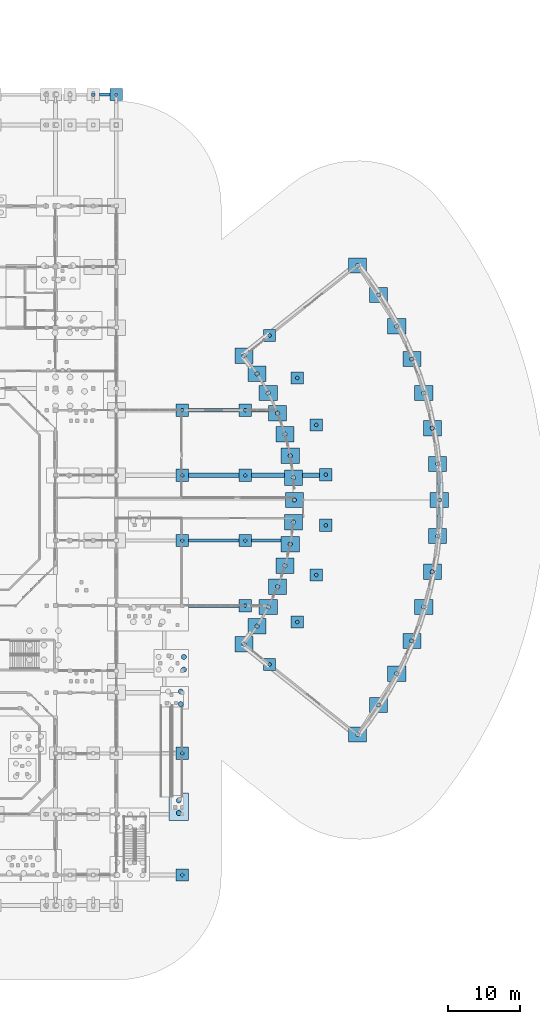
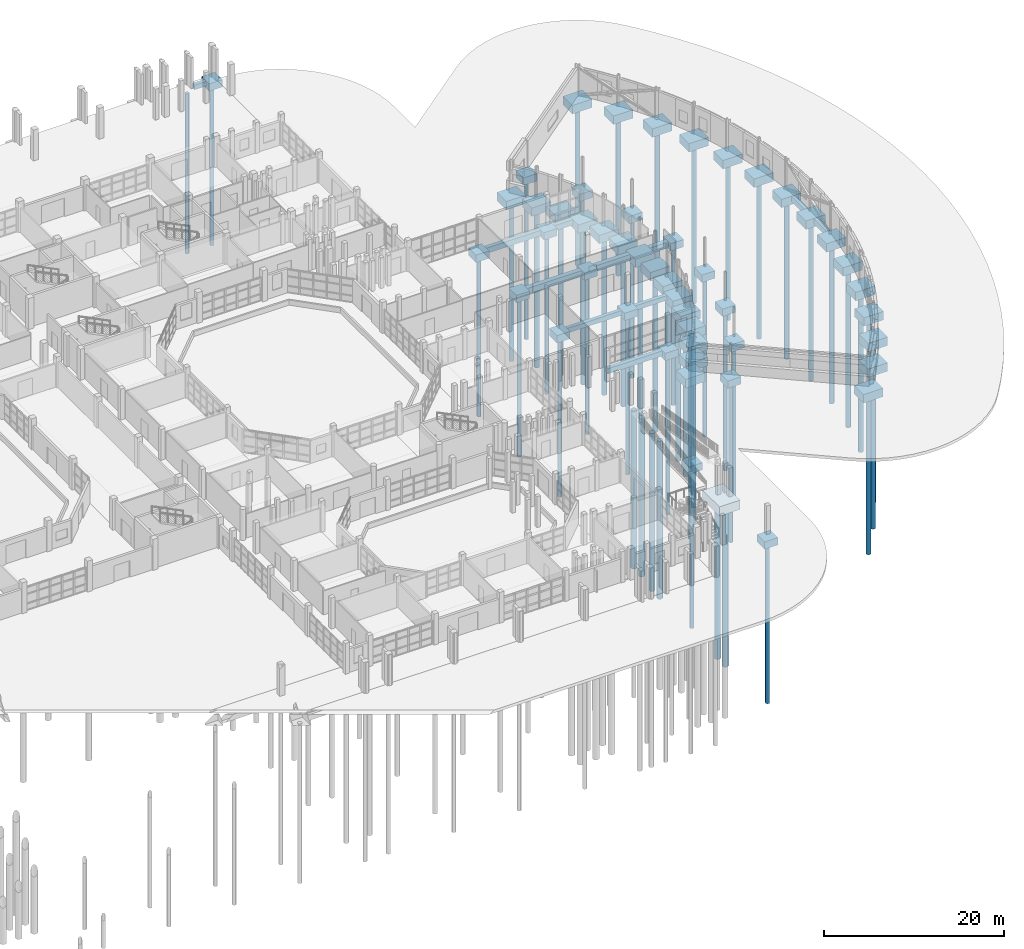
# One storey, part 8 of 88: 60 footings, 55 piles.
"""IFC4 building model written with IfcOpenShell, lengths in metres."""

from ifc_helpers import new_model, si_unit, direction, frame, origin, origin_2d, place, context, subcontext, project, spatial, rectangle, circle, extrude, material, material_profile, profile_set, type_object, element, save


model = new_model("IFC4")

# Units and contexts
model_context = context("Model", 3, precision=1e-05, world=origin(), true_north=direction((0.0, 1.0)))
body_context = subcontext(model_context, "Body", "Model", "MODEL_VIEW")
ifc_project = project(units=[si_unit("LENGTHUNIT", "METRE"), si_unit("AREAUNIT", "SQUARE_METRE"), si_unit("VOLUMEUNIT", "CUBIC_METRE"), si_unit("PLANEANGLEUNIT", "RADIAN"), si_unit("MASSUNIT", "GRAM", prefix="KILO")], contexts=[model_context])

# Site, building, storey
site_placement = place(None, origin())
site = spatial("IfcSite", under=ifc_project, at=site_placement, CompositionType="ELEMENT")
building_placement = place(site_placement, origin())
building = spatial("IfcBuilding", under=site, at=building_placement, Name="Vanh Quang Courtyard School", CompositionType="ELEMENT")
storey_placement = place(building_placement, origin())
storey = spatial("IfcBuildingStorey", under=building, at=storey_placement, Name="L00", CompositionType="ELEMENT", Elevation=0.0)

# Footings
ifc_material_1 = material(Name="Concrete C35/45", Category="concrete")
footing_type_1 = type_object("IfcFootingType", Name="FTG-GB-450x650", PredefinedType="FOOTING_BEAM", material=ifc_material_1)
footing_1_placement = place(storey_placement, frame((132.85009765625, 50.39990234375, -1.050048828125), z_axis=(0.0, 0.0, 1.0), x_axis=(1.0, 0.0, 0.0)))
element("IfcFooting", 1, at=footing_1_placement, inside=storey, type_object=footing_type_1, Name="Footing GB-04 (L00)", PredefinedType="FOOTING_BEAM", context=body_context, shape_type="SweptSolid", body=[
    extrude(rectangle(XDim=7.0, YDim=0.449951171875, at=origin_2d()), origin(), (0.0, 0.0, 1.0), 0.64990234375),
])
footing_2_placement = place(storey_placement, frame((140.10595703125, 50.39990234375, -1.050048828125), z_axis=(0.0, 0.0, 1.0), x_axis=(1.0, 0.0, 0.0)))
element("IfcFooting", 2, at=footing_2_placement, inside=storey, type_object=footing_type_1, Name="Footing GB-04 (L00)", PredefinedType="FOOTING_BEAM", context=body_context, shape_type="SweptSolid", body=[
    extrude(rectangle(XDim=4.112060546875, YDim=0.449951171875, at=origin_2d()), origin(), (0.0, 0.0, 1.0), 0.64990234375),
])
footing_3_placement = place(storey_placement, frame((117.800048828125, 112.0, -1.050048828125), z_axis=(0.0, 0.0, 1.0), x_axis=(1.0, 0.0, 0.0)))
element("IfcFooting", 3, at=footing_3_placement, inside=storey, type_object=footing_type_1, Name="Footing GB-04 (L00)", PredefinedType="FOOTING_BEAM", context=body_context, shape_type="SweptSolid", body=[
    extrude(rectangle(XDim=1.5, YDim=0.449951171875, at=origin_2d()), origin(), (0.0, 0.0, 1.0), 0.64990234375),
])
footing_type_2 = type_object("IfcFootingType", Name="FTG-GB-500x700", PredefinedType="FOOTING_BEAM", material=ifc_material_1)
footing_4_placement = place(storey_placement, frame((132.85009765625, 41.39990234375, -1.10009765625), z_axis=(0.0, 0.0, 1.0), x_axis=(1.0, 0.0, 0.0)))
element("IfcFooting", 4, at=footing_4_placement, inside=storey, type_object=footing_type_2, Name="Footing GB-03 (L00)", PredefinedType="FOOTING_BEAM", context=body_context, shape_type="SweptSolid", body=[
    extrude(rectangle(XDim=7.0, YDim=0.5, at=origin_2d()), origin(), (0.0, 0.0, 1.0), 0.699951171875),
])
footing_type_3 = type_object("IfcFootingType", Name="FTG-GB-500x750", PredefinedType="FOOTING_BEAM", material=ifc_material_1)
footing_5_placement = place(storey_placement, frame((132.85009765625, 68.39990234375, -1.14990234375), z_axis=(0.0, 0.0, 1.0), x_axis=(1.0, 0.0, 0.0)))
element("IfcFooting", 5, at=footing_5_placement, inside=storey, type_object=footing_type_3, Name="Footing GB-02 (L00)", PredefinedType="FOOTING_BEAM", context=body_context, shape_type="SweptSolid", body=[
    extrude(rectangle(XDim=7.0, YDim=0.5, at=origin_2d()), origin(), (0.0, 0.0, 1.0), 0.75),
])
footing_6_placement = place(storey_placement, frame((139.235107421875, 68.39990234375, -1.14990234375), z_axis=(0.0, 0.0, 1.0), x_axis=(1.0, 0.0, 0.0)))
element("IfcFooting", 6, at=footing_6_placement, inside=storey, type_object=footing_type_3, Name="Footing GB-02 (L00)", PredefinedType="FOOTING_BEAM", context=body_context, shape_type="SweptSolid", body=[
    extrude(rectangle(XDim=2.3701171875, YDim=0.5, at=origin_2d()), origin(), (0.0, 0.0, 1.0), 0.75),
])
for number, where, z_axis, x_axis, name in (
    (7, (164.0, 53.508056640625, -1.14990234375), (0.0, 0.0, 1.0), (0.0, 1.0, 0.0), "Footing GB-02 (L00)"),
    (8, (164.0, 58.491943359375, -1.14990234375), (0.0, 0.0, 1.0), (0.0, 1.0, 0.0), "Footing GB-02 (L00)"),
):
    element("IfcFooting", number, at=place(storey_placement, frame(where, z_axis=z_axis, x_axis=x_axis)), inside=storey, type_object=footing_type_3, Name=name, PredefinedType="FOOTING_BEAM", context=body_context, shape_type="SweptSolid", body=[
        extrude(rectangle(XDim=2.884033203125, YDim=0.5, at=origin_2d()), origin(), (0.0, 0.0, 1.0), 0.75),
    ])
footing_type_4 = type_object("IfcFootingType", Name="FTG-GB-600x800", PredefinedType="FOOTING_BEAM", material=ifc_material_1)
footing_7_placement = place(storey_placement, frame((132.85009765625, 59.39990234375, -1.2001953125), z_axis=(0.0, 0.0, 1.0), x_axis=(1.0, 0.0, 0.0)))
element("IfcFooting", 9, at=footing_7_placement, inside=storey, type_object=footing_type_4, Name="Footing GB-01 (L00)", PredefinedType="FOOTING_BEAM", context=body_context, shape_type="SweptSolid", body=[
    extrude(rectangle(XDim=7.0, YDim=0.60009765625, at=origin_2d()), origin(), (0.0, 0.0, 1.0), 0.800048828125),
])
footing_8_placement = place(storey_placement, frame((140.326416015625, 59.39990234375, -1.2001953125), z_axis=(0.0, 0.0, 1.0), x_axis=(1.0, 0.0, 0.0)))
element("IfcFooting", 10, at=footing_8_placement, inside=storey, type_object=footing_type_4, Name="Footing GB-01 (L00)", PredefinedType="FOOTING_BEAM", context=body_context, shape_type="SweptSolid", body=[
    extrude(rectangle(XDim=4.552978515625, YDim=0.60009765625, at=origin_2d()), origin(), (0.0, 0.0, 1.0), 0.800048828125),
])
footing_9_placement = place(storey_placement, frame((146.29248046875, 59.39990234375, -1.2001953125), z_axis=(0.0, 0.0, 1.0), x_axis=(1.0, 0.0, 0.0)))
element("IfcFooting", 11, at=footing_9_placement, inside=storey, type_object=footing_type_4, Name="Footing GB-01 (L00)", PredefinedType="FOOTING_BEAM", context=body_context, shape_type="SweptSolid", body=[
    extrude(rectangle(XDim=2.37890625, YDim=0.60009765625, at=origin_2d()), origin(), (0.0, 0.0, 1.0), 0.800048828125),
])
footing_type_5 = type_object("IfcFootingType", Name="FTG-PC-01", PredefinedType="PILE_CAP", material=ifc_material_1)
for number, where, z_axis, x_axis, name in (
    (12, (128.5, 4.199951171875, -1.39990234375), (0.0, 0.0, 1.0), (1.0, 0.0, 0.0), "Footing PC-01 (L00)"),
    (13, (128.5, 21.0, -1.39990234375), (0.0, 0.0, 1.0), (1.0, 0.0, 0.0), "Footing PC-01 (L00)"),
    (14, (140.56494140625, 33.278076171875, -1.39990234375), (0.0, 0.0, 1.0), (1.0, 0.0, 0.0), "Footing PC-01 (L00)"),
    (15, (144.3759765625, 39.14599609375, -1.39990234375), (0.0, 0.0, 1.0), (1.0, 0.0, 0.0), "Footing PC-01 (L00)"),
    (16, (137.199951171875, 41.39990234375, -1.39990234375), (0.0, 0.0, 1.0), (1.0, 0.0, 0.0), "Footing PC-01 (L00)"),
    (17, (146.9970703125, 45.633056640625, -1.39990234375), (0.0, 0.0, 1.0), (1.0, 0.0, 0.0), "Footing PC-01 (L00)"),
    (18, (128.5, 50.39990234375, -1.39990234375), (0.0, 0.0, 1.0), (1.0, 0.0, 0.0), "Footing PC-01 (L00)"),
    (19, (137.199951171875, 50.39990234375, -1.39990234375), (0.0, 0.0, 1.0), (1.0, 0.0, 0.0), "Footing PC-01 (L00)"),
    (20, (148.33203125, 52.501953125, -1.39990234375), (0.0, 0.0, 1.0), (1.0, 0.0, 0.0), "Footing PC-01 (L00)"),
    (21, (128.5, 59.39990234375, -1.39990234375), (0.0, 0.0, 1.0), (1.0, 0.0, 0.0), "Footing PC-01 (L00)"),
    (22, (137.199951171875, 59.39990234375, -1.39990234375), (0.0, 0.0, 1.0), (1.0, 0.0, 0.0), "Footing PC-01 (L00)"),
    (23, (148.33203125, 59.498046875, -1.39990234375), (0.0, 0.0, 1.0), (1.0, 0.0, 0.0), "Footing PC-01 (L00)"),
    (24, (146.9970703125, 66.366943359375, -1.39990234375), (0.0, 0.0, 1.0), (1.0, 0.0, 0.0), "Footing PC-01 (L00)"),
    (25, (128.5, 68.39990234375, -1.39990234375), (0.0, 0.0, 1.0), (1.0, 0.0, 0.0), "Footing PC-01 (L00)"),
    (26, (137.199951171875, 68.39990234375, -1.39990234375), (0.0, 0.0, 1.0), (1.0, 0.0, 0.0), "Footing PC-01 (L00)"),
    (27, (144.3759765625, 72.85400390625, -1.39990234375), (0.0, 0.0, 1.0), (1.0, 0.0, 0.0), "Footing PC-01 (L00)"),
    (28, (140.56494140625, 78.721923828125, -1.39990234375), (0.0, 0.0, 1.0), (1.0, 0.0, 0.0), "Footing PC-01 (L00)"),
    (29, (119.39990234375, 112.0, -1.39990234375), (0.0, 0.0, 1.0), (1.0, 0.0, 0.0), "Footing PC-01 (L00)"),
):
    element("IfcFooting", number, at=place(storey_placement, frame(where, z_axis=z_axis, x_axis=x_axis)), inside=storey, type_object=footing_type_5, Name=name, PredefinedType="PILE_CAP", context=body_context, shape_type="SweptSolid", body=[
        extrude(rectangle(XDim=1.699951171875, YDim=1.699951171875, at=origin_2d()), origin(), (0.0, 0.0, 1.0), 1.0),
    ])
footing_type_6 = type_object("IfcFootingType", Name="FTG-PC-03", PredefinedType="PILE_CAP", material=ifc_material_1)
for number, where, z_axis, x_axis, name in (
    (30, (152.696044921875, 23.62890625, -1.550048828125), (0.0, 0.0, 1.0), (1.0, 0.0, 0.0), "Footing PC-03 (L00)"),
    (31, (155.611083984375, 27.678955078125, -1.550048828125), (0.0, 0.0, 1.0), (1.0, 0.0, 0.0), "Footing PC-03 (L00)"),
    (32, (158.125, 31.989013671875, -1.550048828125), (0.0, 0.0, 1.0), (1.0, 0.0, 0.0), "Footing PC-03 (L00)"),
    (33, (137.04296875, 36.080078125, -1.550048828125), (0.0, 0.0, 1.0), (1.0, 0.0, 0.0), "Footing PC-03 (L00)"),
):
    element("IfcFooting", number, at=place(storey_placement, frame(where, z_axis=z_axis, x_axis=x_axis)), inside=storey, type_object=footing_type_6, Name=name, PredefinedType="PILE_CAP", context=body_context, shape_type="SweptSolid", body=[
        extrude(rectangle(XDim=2.5, YDim=2.10009765625, at=origin_2d()), origin(), (0.0, 0.0, 1.0), 1.14990234375),
    ])
footing_10_placement = place(storey_placement, frame((160.214111328125, 36.5205078125, -1.550048828125), z_axis=(0.0, 0.0, 1.0), x_axis=(1.0, 0.0, 0.0)))
element("IfcFooting", 34, at=footing_10_placement, inside=storey, type_object=footing_type_6, Name="Footing PC-03 (L00)", PredefinedType="PILE_CAP", context=body_context, shape_type="SweptSolid", body=[
    extrude(rectangle(XDim=2.5, YDim=2.09912109375, at=origin_2d()), origin(), (0.0, 0.0, 1.0), 1.14990234375),
])
for number, where, z_axis, x_axis, name in (
    (35, (138.837890625, 38.572021484375, -1.550048828125), (0.0, 0.0, 1.0), (1.0, 0.0, 0.0), "Footing PC-03 (L00)"),
    (36, (140.384033203125, 41.22412109375, -1.550048828125), (0.0, 0.0, 1.0), (1.0, 0.0, 0.0), "Footing PC-03 (L00)"),
    (37, (161.85888671875, 41.23095703125, -1.550048828125), (0.0, 0.0, 1.0), (1.0, 0.0, 0.0), "Footing PC-03 (L00)"),
    (38, (141.669921875, 44.012939453125, -1.550048828125), (0.0, 0.0, 1.0), (1.0, 0.0, 0.0), "Footing PC-03 (L00)"),
    (39, (163.044921875, 46.077880859375, -1.550048828125), (0.0, 0.0, 1.0), (1.0, 0.0, 0.0), "Footing PC-03 (L00)"),
    (40, (142.681884765625, 46.910888671875, -1.550048828125), (0.0, 0.0, 1.0), (1.0, 0.0, 0.0), "Footing PC-03 (L00)"),
    (41, (143.412109375, 49.89404296875, -1.550048828125), (0.0, 0.0, 1.0), (1.0, 0.0, 0.0), "Footing PC-03 (L00)"),
    (42, (163.760986328125, 51.01611328125, -1.550048828125), (0.0, 0.0, 1.0), (1.0, 0.0, 0.0), "Footing PC-03 (L00)"),
    (43, (143.85302734375, 52.93310546875, -1.550048828125), (0.0, 0.0, 1.0), (1.0, 0.0, 0.0), "Footing PC-03 (L00)"),
    (44, (144.0, 56.0, -1.550048828125), (0.0, 0.0, 1.0), (1.0, 0.0, 0.0), "Footing PC-03 (L00)"),
    (45, (164.0, 56.0, -1.550048828125), (0.0, 0.0, 1.0), (1.0, 0.0, 0.0), "Footing PC-03 (L00)"),
    (46, (143.85302734375, 59.06689453125, -1.550048828125), (0.0, 0.0, 1.0), (1.0, 0.0, 0.0), "Footing PC-03 (L00)"),
    (47, (163.760986328125, 60.98388671875, -1.550048828125), (0.0, 0.0, 1.0), (1.0, 0.0, 0.0), "Footing PC-03 (L00)"),
    (48, (143.412109375, 62.10595703125, -1.550048828125), (0.0, 0.0, 1.0), (1.0, 0.0, 0.0), "Footing PC-03 (L00)"),
    (49, (142.681884765625, 65.087890625, -1.550048828125), (0.0, 0.0, 1.0), (1.0, 0.0, 0.0), "Footing PC-03 (L00)"),
    (50, (163.044921875, 65.922119140625, -1.550048828125), (0.0, 0.0, 1.0), (1.0, 0.0, 0.0), "Footing PC-03 (L00)"),
    (51, (141.669921875, 67.987060546875, -1.550048828125), (0.0, 0.0, 1.0), (1.0, 0.0, 0.0), "Footing PC-03 (L00)"),
    (52, (161.85888671875, 70.76904296875, -1.550048828125), (0.0, 0.0, 1.0), (1.0, 0.0, 0.0), "Footing PC-03 (L00)"),
    (53, (140.384033203125, 70.77587890625, -1.550048828125), (0.0, 0.0, 1.0), (1.0, 0.0, 0.0), "Footing PC-03 (L00)"),
    (54, (138.837890625, 73.427978515625, -1.550048828125), (0.0, 0.0, 1.0), (1.0, 0.0, 0.0), "Footing PC-03 (L00)"),
):
    element("IfcFooting", number, at=place(storey_placement, frame(where, z_axis=z_axis, x_axis=x_axis)), inside=storey, type_object=footing_type_6, Name=name, PredefinedType="PILE_CAP", context=body_context, shape_type="SweptSolid", body=[
        extrude(rectangle(XDim=2.5, YDim=2.10009765625, at=origin_2d()), origin(), (0.0, 0.0, 1.0), 1.14990234375),
    ])
footing_11_placement = place(storey_placement, frame((160.214111328125, 75.4794921875, -1.550048828125), z_axis=(0.0, 0.0, 1.0), x_axis=(1.0, 0.0, 0.0)))
element("IfcFooting", 55, at=footing_11_placement, inside=storey, type_object=footing_type_6, Name="Footing PC-03 (L00)", PredefinedType="PILE_CAP", context=body_context, shape_type="SweptSolid", body=[
    extrude(rectangle(XDim=2.5, YDim=2.09912109375, at=origin_2d()), origin(), (0.0, 0.0, 1.0), 1.14990234375),
])
for number, where, z_axis, x_axis, name in (
    (56, (137.04296875, 75.9208984375, -1.550048828125), (0.0, 0.0, 1.0), (1.0, 0.0, 0.0), "Footing PC-03 (L00)"),
    (57, (158.125, 80.010986328125, -1.550048828125), (0.0, 0.0, 1.0), (1.0, 0.0, 0.0), "Footing PC-03 (L00)"),
    (58, (155.611083984375, 84.321044921875, -1.550048828125), (0.0, 0.0, 1.0), (1.0, 0.0, 0.0), "Footing PC-03 (L00)"),
    (59, (152.696044921875, 88.37109375, -1.550048828125), (0.0, 0.0, 1.0), (1.0, 0.0, 0.0), "Footing PC-03 (L00)"),
):
    element("IfcFooting", number, at=place(storey_placement, frame(where, z_axis=z_axis, x_axis=x_axis)), inside=storey, type_object=footing_type_6, Name=name, PredefinedType="PILE_CAP", context=body_context, shape_type="SweptSolid", body=[
        extrude(rectangle(XDim=2.5, YDim=2.10009765625, at=origin_2d()), origin(), (0.0, 0.0, 1.0), 1.14990234375),
    ])
footing_type_7 = type_object("IfcFootingType", Name="FTG-PC-08", PredefinedType="PILE_CAP", material=ifc_material_1)
footing_12_placement = place(storey_placement, frame((128.02490234375, 13.625, -1.64990234375), z_axis=(0.0, 0.0, 1.0), x_axis=(1.0, 0.0, 0.0)))
element("IfcFooting", 60, at=footing_12_placement, inside=storey, type_object=footing_type_7, Name="Footing PC-08 (L00)", PredefinedType="PILE_CAP", context=body_context, shape_type="SweptSolid", body=[
    extrude(rectangle(XDim=2.64990234375, YDim=3.75, at=origin_2d()), origin(), (0.0, 0.0, 1.0), 1.25),
])

# Piles
ifc_material_2 = material(Name="Concrete C30/37", Category="concrete")
ifc_material_profile_1 = material_profile(ifc_material_2, circle(Radius=0.25, at=origin_2d()), Name="PILE D500")
ifc_profile_set_1 = profile_set([ifc_material_profile_1], Name="Concrete C30/37")
pile_type_1 = type_object("IfcPileType", Name="PILE-BORED-500", PredefinedType="BORED", material=ifc_profile_set_1)
for number, where, z_axis, x_axis, name in (
    (61, (128.5, 4.199951171875, -1.300048828125), (0.0, 0.0, -1.0), (1.0, 0.0, 0.0), "Bored Pile BP-01 (L00)"),
    (62, (128.5, 21.0, -1.300048828125), (0.0, 0.0, -1.0), (1.0, 0.0, 0.0), "Bored Pile BP-01 (L00)"),
    (63, (140.56494140625, 33.278076171875, -1.300048828125), (0.0, 0.0, -1.0), (1.0, 0.0, 0.0), "Bored Pile BP-01 (L00)"),
    (64, (144.3759765625, 39.14599609375, -1.300048828125), (0.0, 0.0, -1.0), (1.0, 0.0, 0.0), "Bored Pile BP-01 (L00)"),
    (65, (137.199951171875, 41.39990234375, -1.300048828125), (0.0, 0.0, -1.0), (1.0, 0.0, 0.0), "Bored Pile BP-01 (L00)"),
    (66, (146.9970703125, 45.633056640625, -1.300048828125), (0.0, 0.0, -1.0), (1.0, 0.0, 0.0), "Bored Pile BP-01 (L00)"),
    (67, (128.5, 50.39990234375, -1.300048828125), (0.0, 0.0, -1.0), (1.0, 0.0, 0.0), "Bored Pile BP-01 (L00)"),
    (68, (137.199951171875, 50.39990234375, -1.300048828125), (0.0, 0.0, -1.0), (1.0, 0.0, 0.0), "Bored Pile BP-01 (L00)"),
    (69, (148.33203125, 52.501953125, -1.300048828125), (0.0, 0.0, -1.0), (1.0, 0.0, 0.0), "Bored Pile BP-01 (L00)"),
    (70, (128.5, 59.39990234375, -1.300048828125), (0.0, 0.0, -1.0), (1.0, 0.0, 0.0), "Bored Pile BP-01 (L00)"),
    (71, (137.199951171875, 59.39990234375, -1.300048828125), (0.0, 0.0, -1.0), (1.0, 0.0, 0.0), "Bored Pile BP-01 (L00)"),
    (72, (148.33203125, 59.498046875, -1.300048828125), (0.0, 0.0, -1.0), (1.0, 0.0, 0.0), "Bored Pile BP-01 (L00)"),
    (73, (146.9970703125, 66.366943359375, -1.300048828125), (0.0, 0.0, -1.0), (1.0, 0.0, 0.0), "Bored Pile BP-01 (L00)"),
    (74, (128.5, 68.39990234375, -1.300048828125), (0.0, 0.0, -1.0), (1.0, 0.0, 0.0), "Bored Pile BP-01 (L00)"),
    (75, (137.199951171875, 68.39990234375, -1.300048828125), (0.0, 0.0, -1.0), (1.0, 0.0, 0.0), "Bored Pile BP-01 (L00)"),
    (76, (144.3759765625, 72.85400390625, -1.300048828125), (0.0, 0.0, -1.0), (1.0, 0.0, 0.0), "Bored Pile BP-01 (L00)"),
    (77, (140.56494140625, 78.721923828125, -1.300048828125), (0.0, 0.0, -1.0), (1.0, 0.0, 0.0), "Bored Pile BP-01 (L00)"),
    (78, (116.199951171875, 112.0, -1.300048828125), (0.0, 0.0, -1.0), (1.0, 0.0, 0.0), "Bored Pile BP-01 (L00)"),
    (79, (119.39990234375, 112.0, -1.300048828125), (0.0, 0.0, -1.0), (1.0, 0.0, 0.0), "Bored Pile BP-01 (L00)"),
):
    element("IfcPile", number, at=place(storey_placement, frame(where, z_axis=z_axis, x_axis=x_axis)), inside=storey, type_object=pile_type_1, Name=name, PredefinedType="BORED", context=body_context, shape_type="SweptSolid", body=[
        extrude(circle(Radius=0.25, at=origin_2d()), origin(), (0.0, 0.0, 1.0), 21.699951171875),
    ])
ifc_material_profile_2 = material_profile(ifc_material_2, circle(Radius=0.300048828125, at=origin_2d()), Name="PILE D600")
ifc_profile_set_2 = profile_set([ifc_material_profile_2], Name="Concrete C30/37")
pile_type_2 = type_object("IfcPileType", Name="PILE-BORED-600", PredefinedType="BORED", material=ifc_profile_set_2)
for number, where, z_axis, x_axis, name in (
    (80, (152.696044921875, 23.62890625, -1.449951171875), (0.0, 0.0, -1.0), (1.0, 0.0, 0.0), "Bored Pile BP-02 (L00)"),
    (81, (155.611083984375, 27.678955078125, -1.449951171875), (0.0, 0.0, -1.0), (1.0, 0.0, 0.0), "Bored Pile BP-02 (L00)"),
    (82, (158.125, 31.989013671875, -1.449951171875), (0.0, 0.0, -1.0), (1.0, 0.0, 0.0), "Bored Pile BP-02 (L00)"),
    (83, (137.04296875, 36.080078125, -1.449951171875), (0.0, 0.0, -1.0), (1.0, 0.0, 0.0), "Bored Pile BP-02 (L00)"),
    (84, (160.214111328125, 36.5205078125, -1.449951171875), (0.0, 0.0, -1.0), (1.0, 0.0, 0.0), "Bored Pile BP-02 (L00)"),
    (85, (138.837890625, 38.572021484375, -1.449951171875), (0.0, 0.0, -1.0), (1.0, 0.0, 0.0), "Bored Pile BP-02 (L00)"),
    (86, (140.384033203125, 41.22412109375, -1.449951171875), (0.0, 0.0, -1.0), (1.0, 0.0, 0.0), "Bored Pile BP-02 (L00)"),
    (87, (161.85888671875, 41.23095703125, -1.449951171875), (0.0, 0.0, -1.0), (1.0, 0.0, 0.0), "Bored Pile BP-02 (L00)"),
    (88, (141.669921875, 44.012939453125, -1.449951171875), (0.0, 0.0, -1.0), (1.0, 0.0, 0.0), "Bored Pile BP-02 (L00)"),
    (89, (163.044921875, 46.077880859375, -1.449951171875), (0.0, 0.0, -1.0), (1.0, 0.0, 0.0), "Bored Pile BP-02 (L00)"),
    (90, (142.681884765625, 46.910888671875, -1.449951171875), (0.0, 0.0, -1.0), (1.0, 0.0, 0.0), "Bored Pile BP-02 (L00)"),
    (91, (143.412109375, 49.89404296875, -1.449951171875), (0.0, 0.0, -1.0), (1.0, 0.0, 0.0), "Bored Pile BP-02 (L00)"),
    (92, (163.760986328125, 51.01611328125, -1.449951171875), (0.0, 0.0, -1.0), (1.0, 0.0, 0.0), "Bored Pile BP-02 (L00)"),
    (93, (143.85302734375, 52.93310546875, -1.449951171875), (0.0, 0.0, -1.0), (1.0, 0.0, 0.0), "Bored Pile BP-02 (L00)"),
    (94, (144.0, 56.0, -1.449951171875), (0.0, 0.0, -1.0), (1.0, 0.0, 0.0), "Bored Pile BP-02 (L00)"),
    (95, (164.0, 56.0, -1.449951171875), (0.0, 0.0, -1.0), (1.0, 0.0, 0.0), "Bored Pile BP-02 (L00)"),
    (96, (143.85302734375, 59.06689453125, -1.449951171875), (0.0, 0.0, -1.0), (1.0, 0.0, 0.0), "Bored Pile BP-02 (L00)"),
    (97, (163.760986328125, 60.98388671875, -1.449951171875), (0.0, 0.0, -1.0), (1.0, 0.0, 0.0), "Bored Pile BP-02 (L00)"),
    (98, (143.412109375, 62.10595703125, -1.449951171875), (0.0, 0.0, -1.0), (1.0, 0.0, 0.0), "Bored Pile BP-02 (L00)"),
    (99, (142.681884765625, 65.087890625, -1.449951171875), (0.0, 0.0, -1.0), (1.0, 0.0, 0.0), "Bored Pile BP-02 (L00)"),
    (100, (163.044921875, 65.922119140625, -1.449951171875), (0.0, 0.0, -1.0), (1.0, 0.0, 0.0), "Bored Pile BP-02 (L00)"),
    (101, (141.669921875, 67.987060546875, -1.449951171875), (0.0, 0.0, -1.0), (1.0, 0.0, 0.0), "Bored Pile BP-02 (L00)"),
    (102, (161.85888671875, 70.76904296875, -1.449951171875), (0.0, 0.0, -1.0), (1.0, 0.0, 0.0), "Bored Pile BP-02 (L00)"),
    (103, (140.384033203125, 70.77587890625, -1.449951171875), (0.0, 0.0, -1.0), (1.0, 0.0, 0.0), "Bored Pile BP-02 (L00)"),
    (104, (138.837890625, 73.427978515625, -1.449951171875), (0.0, 0.0, -1.0), (1.0, 0.0, 0.0), "Bored Pile BP-02 (L00)"),
    (105, (160.214111328125, 75.4794921875, -1.449951171875), (0.0, 0.0, -1.0), (1.0, 0.0, 0.0), "Bored Pile BP-02 (L00)"),
    (106, (137.04296875, 75.9208984375, -1.449951171875), (0.0, 0.0, -1.0), (1.0, 0.0, 0.0), "Bored Pile BP-02 (L00)"),
    (107, (158.125, 80.010986328125, -1.449951171875), (0.0, 0.0, -1.0), (1.0, 0.0, 0.0), "Bored Pile BP-02 (L00)"),
    (108, (155.611083984375, 84.321044921875, -1.449951171875), (0.0, 0.0, -1.0), (1.0, 0.0, 0.0), "Bored Pile BP-02 (L00)"),
    (109, (152.696044921875, 88.37109375, -1.449951171875), (0.0, 0.0, -1.0), (1.0, 0.0, 0.0), "Bored Pile BP-02 (L00)"),
):
    element("IfcPile", number, at=place(storey_placement, frame(where, z_axis=z_axis, x_axis=x_axis)), inside=storey, type_object=pile_type_2, Name=name, PredefinedType="BORED", context=body_context, shape_type="SweptSolid", body=[
        extrude(circle(Radius=0.300048828125, at=origin_2d()), origin(), (0.0, 0.0, 1.0), 21.550048828125),
    ])
ifc_material_profile_3 = material_profile(ifc_material_2, circle(Radius=0.35009765625, at=origin_2d()), Name="PILE D700")
ifc_profile_set_3 = profile_set([ifc_material_profile_3], Name="Concrete C30/37")
pile_type_3 = type_object("IfcPileType", Name="PILE-BORED-700", PredefinedType="BORED", material=ifc_profile_set_3)
for number, where, z_axis, x_axis, name in (
    (110, (128.02490234375, 12.75, -1.550048828125), (0.0, 0.0, -1.0), (1.0, 0.0, 0.0), "Bored Pile BP-03 (L00)"),
    (111, (128.02490234375, 14.5, -1.550048828125), (0.0, 0.0, -1.0), (1.0, 0.0, 0.0), "Bored Pile BP-03 (L00)"),
    (112, (128.300048828125, 27.800048828125, -1.550048828125), (0.0, 0.0, -1.0), (1.0, 0.0, 0.0), "Bored Pile BP-03 (L00)"),
    (113, (128.300048828125, 29.550048828125, -1.550048828125), (0.0, 0.0, -1.0), (1.0, 0.0, 0.0), "Bored Pile BP-03 (L00)"),
    (114, (128.72509765625, 32.574951171875, -1.550048828125), (0.0, 0.0, -1.0), (1.0, 0.0, 0.0), "Bored Pile BP-03 (L00)"),
    (115, (128.72509765625, 34.324951171875, -1.550048828125), (0.0, 0.0, -1.0), (1.0, 0.0, 0.0), "Bored Pile BP-03 (L00)"),
):
    element("IfcPile", number, at=place(storey_placement, frame(where, z_axis=z_axis, x_axis=x_axis)), inside=storey, type_object=pile_type_3, Name=name, PredefinedType="BORED", context=body_context, shape_type="SweptSolid", body=[
        extrude(circle(Radius=0.35009765625, at=origin_2d()), origin(), (0.0, 0.0, 1.0), 21.449951171875),
    ])

save(model, "model.ifc")
